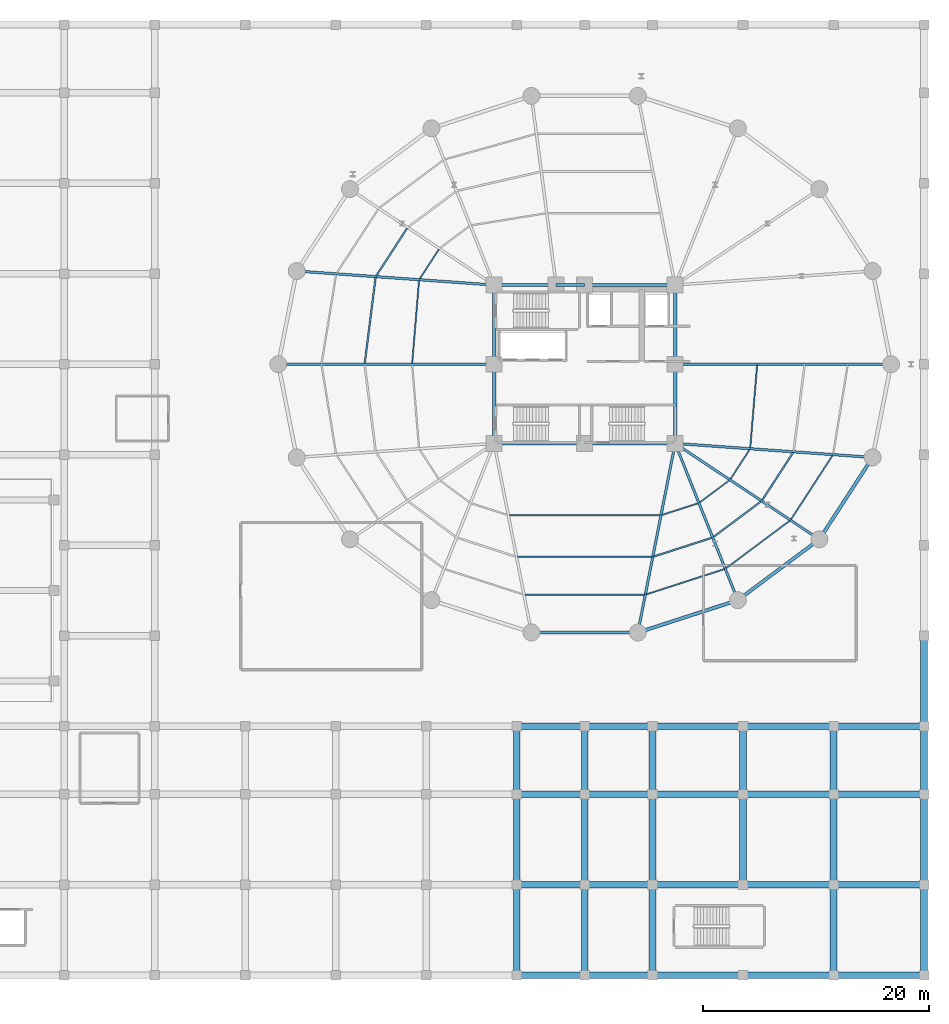
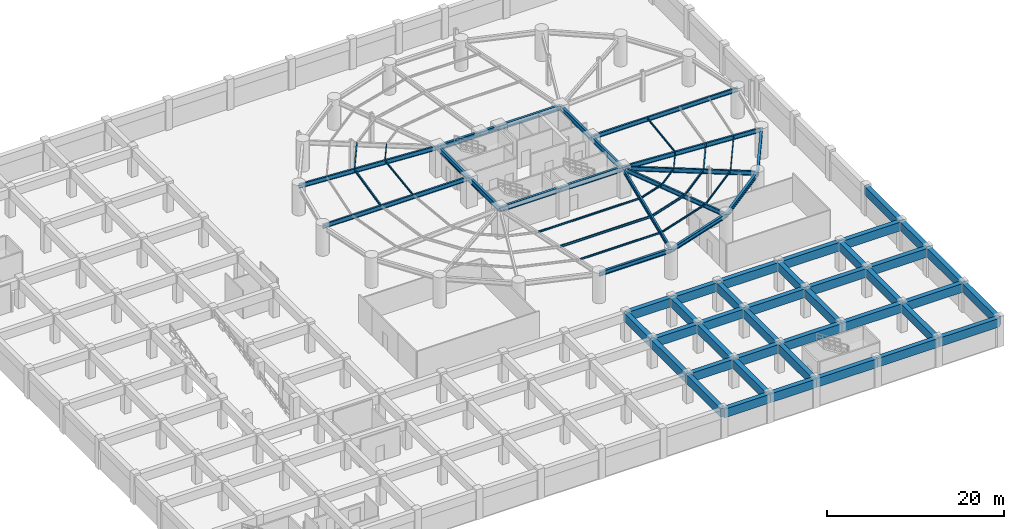
# One storey, part 6 of 20: 75 beams.
"""IFC4 building model written with IfcOpenShell, lengths in metres."""

from ifc_helpers import new_model, si_unit, direction, frame, origin, origin_2d, place, context, subcontext, project, spatial, rectangle, i_section, extrude, material, material_profile, profile_set, type_object, element, save


model = new_model("IFC4")

# Units and contexts
model_context = context("Model", 3, precision=1e-05, world=origin(), true_north=direction((0.0, 1.0)))
body_context = subcontext(model_context, "Body", "Model", "MODEL_VIEW")
ifc_project = project(units=[si_unit("LENGTHUNIT", "METRE"), si_unit("AREAUNIT", "SQUARE_METRE"), si_unit("VOLUMEUNIT", "CUBIC_METRE"), si_unit("PLANEANGLEUNIT", "RADIAN"), si_unit("MASSUNIT", "GRAM", prefix="KILO")], contexts=[model_context])

# Site, building, storey
site_placement = place(None, origin())
site = spatial("IfcSite", under=ifc_project, at=site_placement, CompositionType="ELEMENT")
building_placement = place(site_placement, origin())
building = spatial("IfcBuilding", under=site, at=building_placement, Name="Kelanora Arch Commons", CompositionType="ELEMENT")
storey_placement = place(building_placement, frame((0.0, 0.0, -4.199951171875)))
storey = spatial("IfcBuildingStorey", under=building, at=storey_placement, Name="B01", CompositionType="ELEMENT", Elevation=-4.199951171875)

# Beams
ifc_material_1 = material(Name="Concrete C45/55", Category="concrete")
ifc_material_profile_1 = material_profile(ifc_material_1, rectangle(XDim=0.60009765625, YDim=1.199951171875, at=origin_2d()), Name="RCB600x1200")
ifc_profile_set_1 = profile_set([ifc_material_profile_1], Name="Concrete C45/55")
beam_type_1 = type_object("IfcBeamType", Name="BM-BSMT-RC", PredefinedType="BEAM", material=ifc_profile_set_1)
beam_1_placement = place(storey_placement, frame((68.0, 4.0, 3.300048828125), z_axis=(1.0, 0.0, 0.0), x_axis=(0.0, 1.0, 0.0)))
element("IfcBeam", 1, at=beam_1_placement, inside=storey, type_object=beam_type_1, Name="Market/Basement Frame Beam 126 B01", PredefinedType="BEAM", context=body_context, shape_type="SweptSolid", body=[
    extrude(rectangle(XDim=0.60009765625, YDim=1.199951171875, at=origin_2d()), origin(), (0.0, 0.0, 1.0), 6.0),
])
beam_2_placement = place(storey_placement, frame((68.0, 4.0, 3.300048828125), z_axis=(0.0, 1.0, 0.0), x_axis=(-1.0, 0.0, 0.0)))
element("IfcBeam", 2, at=beam_2_placement, inside=storey, type_object=beam_type_1, Name="Market/Basement Frame Beam 127 B01", PredefinedType="BEAM", context=body_context, shape_type="SweptSolid", body=[
    extrude(rectangle(XDim=0.60009765625, YDim=1.199951171875, at=origin_2d()), origin(), (0.0, 0.0, 1.0), 8.0),
])
beam_3_placement = place(storey_placement, frame((68.0, 12.0, 3.300048828125), z_axis=(1.0, 0.0, 0.0), x_axis=(0.0, 1.0, 0.0)))
element("IfcBeam", 3, at=beam_3_placement, inside=storey, type_object=beam_type_1, Name="Market/Basement Frame Beam 128 B01", PredefinedType="BEAM", context=body_context, shape_type="SweptSolid", body=[
    extrude(rectangle(XDim=0.60009765625, YDim=1.199951171875, at=origin_2d()), origin(), (0.0, 0.0, 1.0), 6.0),
])
beam_4_placement = place(storey_placement, frame((68.0, 12.0, 3.300048828125), z_axis=(0.0, 1.0, 0.0), x_axis=(-1.0, 0.0, 0.0)))
element("IfcBeam", 4, at=beam_4_placement, inside=storey, type_object=beam_type_1, Name="Market/Basement Frame Beam 129 B01", PredefinedType="BEAM", context=body_context, shape_type="SweptSolid", body=[
    extrude(rectangle(XDim=0.60009765625, YDim=1.199951171875, at=origin_2d()), origin(), (0.0, 0.0, 1.0), 8.0),
])
for number, where, z_axis, x_axis, name in (
    (5, (68.0, 20.0, 3.300048828125), (1.0, 0.0, 0.0), (0.0, 1.0, 0.0), "Market/Basement Frame Beam 130 B01"),
    (6, (68.0, 20.0, 3.300048828125), (0.0, 1.0, 0.0), (-1.0, 0.0, 0.0), "Market/Basement Frame Beam 131 B01"),
    (7, (68.0, 26.0, 3.300048828125), (1.0, 0.0, 0.0), (0.0, 1.0, 0.0), "Market/Basement Frame Beam 132 B01"),
    (8, (74.0, 4.0, 3.300048828125), (1.0, 0.0, 0.0), (0.0, 1.0, 0.0), "Market/Basement Frame Beam 134 B01"),
):
    element("IfcBeam", number, at=place(storey_placement, frame(where, z_axis=z_axis, x_axis=x_axis)), inside=storey, type_object=beam_type_1, Name=name, PredefinedType="BEAM", context=body_context, shape_type="SweptSolid", body=[
        extrude(rectangle(XDim=0.60009765625, YDim=1.199951171875, at=origin_2d()), origin(), (0.0, 0.0, 1.0), 6.0),
    ])
beam_5_placement = place(storey_placement, frame((74.0, 4.0, 3.300048828125), z_axis=(0.0, 1.0, 0.0), x_axis=(-1.0, 0.0, 0.0)))
element("IfcBeam", 9, at=beam_5_placement, inside=storey, type_object=beam_type_1, Name="Market/Basement Frame Beam 135 B01", PredefinedType="BEAM", context=body_context, shape_type="SweptSolid", body=[
    extrude(rectangle(XDim=0.60009765625, YDim=1.199951171875, at=origin_2d()), origin(), (0.0, 0.0, 1.0), 8.0),
])
beam_6_placement = place(storey_placement, frame((74.0, 12.0, 3.300048828125), z_axis=(1.0, 0.0, 0.0), x_axis=(0.0, 1.0, 0.0)))
element("IfcBeam", 10, at=beam_6_placement, inside=storey, type_object=beam_type_1, Name="Market/Basement Frame Beam 136 B01", PredefinedType="BEAM", context=body_context, shape_type="SweptSolid", body=[
    extrude(rectangle(XDim=0.60009765625, YDim=1.199951171875, at=origin_2d()), origin(), (0.0, 0.0, 1.0), 6.0),
])
beam_7_placement = place(storey_placement, frame((74.0, 12.0, 3.300048828125), z_axis=(0.0, 1.0, 0.0), x_axis=(-1.0, 0.0, 0.0)))
element("IfcBeam", 11, at=beam_7_placement, inside=storey, type_object=beam_type_1, Name="Market/Basement Frame Beam 137 B01", PredefinedType="BEAM", context=body_context, shape_type="SweptSolid", body=[
    extrude(rectangle(XDim=0.60009765625, YDim=1.199951171875, at=origin_2d()), origin(), (0.0, 0.0, 1.0), 8.0),
])
for number, where, z_axis, x_axis, name in (
    (12, (74.0, 20.0, 3.300048828125), (1.0, 0.0, 0.0), (0.0, 1.0, 0.0), "Market/Basement Frame Beam 138 B01"),
    (13, (74.0, 20.0, 3.300048828125), (0.0, 1.0, 0.0), (-1.0, 0.0, 0.0), "Market/Basement Frame Beam 139 B01"),
    (14, (74.0, 26.0, 3.300048828125), (1.0, 0.0, 0.0), (0.0, 1.0, 0.0), "Market/Basement Frame Beam 140 B01"),
):
    element("IfcBeam", number, at=place(storey_placement, frame(where, z_axis=z_axis, x_axis=x_axis)), inside=storey, type_object=beam_type_1, Name=name, PredefinedType="BEAM", context=body_context, shape_type="SweptSolid", body=[
        extrude(rectangle(XDim=0.60009765625, YDim=1.199951171875, at=origin_2d()), origin(), (0.0, 0.0, 1.0), 6.0),
    ])
for number, where, z_axis, x_axis, name in (
    (15, (80.0, 4.0, 3.300048828125), (1.0, 0.0, 0.0), (0.0, 1.0, 0.0), "Market/Basement Frame Beam 142 B01"),
    (16, (80.0, 4.0, 3.300048828125), (0.0, 1.0, 0.0), (-1.0, 0.0, 0.0), "Market/Basement Frame Beam 143 B01"),
    (17, (80.0, 12.0, 3.300048828125), (1.0, 0.0, 0.0), (0.0, 1.0, 0.0), "Market/Basement Frame Beam 144 B01"),
    (18, (80.0, 12.0, 3.300048828125), (0.0, 1.0, 0.0), (-1.0, 0.0, 0.0), "Market/Basement Frame Beam 145 B01"),
    (19, (80.0, 20.0, 3.300048828125), (1.0, 0.0, 0.0), (0.0, 1.0, 0.0), "Market/Basement Frame Beam 146 B01"),
):
    element("IfcBeam", number, at=place(storey_placement, frame(where, z_axis=z_axis, x_axis=x_axis)), inside=storey, type_object=beam_type_1, Name=name, PredefinedType="BEAM", context=body_context, shape_type="SweptSolid", body=[
        extrude(rectangle(XDim=0.60009765625, YDim=1.199951171875, at=origin_2d()), origin(), (0.0, 0.0, 1.0), 8.0),
    ])
beam_8_placement = place(storey_placement, frame((80.0, 20.0, 3.300048828125), z_axis=(0.0, 1.0, 0.0), x_axis=(-1.0, 0.0, 0.0)))
element("IfcBeam", 20, at=beam_8_placement, inside=storey, type_object=beam_type_1, Name="Market/Basement Frame Beam 147 B01", PredefinedType="BEAM", context=body_context, shape_type="SweptSolid", body=[
    extrude(rectangle(XDim=0.60009765625, YDim=1.199951171875, at=origin_2d()), origin(), (0.0, 0.0, 1.0), 6.0),
])
for number, where, z_axis, x_axis, name in (
    (21, (80.0, 26.0, 3.300048828125), (1.0, 0.0, 0.0), (0.0, 1.0, 0.0), "Market/Basement Frame Beam 148 B01"),
    (22, (88.0, 4.0, 3.300048828125), (1.0, 0.0, 0.0), (0.0, 1.0, 0.0), "Market/Basement Frame Beam 150 B01"),
    (23, (88.0, 12.0, 3.300048828125), (1.0, 0.0, 0.0), (0.0, 1.0, 0.0), "Market/Basement Frame Beam 151 B01"),
    (24, (88.0, 12.0, 3.300048828125), (0.0, 1.0, 0.0), (-1.0, 0.0, 0.0), "Market/Basement Frame Beam 152 B01"),
    (25, (88.0, 20.0, 3.300048828125), (1.0, 0.0, 0.0), (0.0, 1.0, 0.0), "Market/Basement Frame Beam 153 B01"),
):
    element("IfcBeam", number, at=place(storey_placement, frame(where, z_axis=z_axis, x_axis=x_axis)), inside=storey, type_object=beam_type_1, Name=name, PredefinedType="BEAM", context=body_context, shape_type="SweptSolid", body=[
        extrude(rectangle(XDim=0.60009765625, YDim=1.199951171875, at=origin_2d()), origin(), (0.0, 0.0, 1.0), 8.0),
    ])
beam_9_placement = place(storey_placement, frame((88.0, 20.0, 3.300048828125), z_axis=(0.0, 1.0, 0.0), x_axis=(-1.0, 0.0, 0.0)))
element("IfcBeam", 26, at=beam_9_placement, inside=storey, type_object=beam_type_1, Name="Market/Basement Frame Beam 154 B01", PredefinedType="BEAM", context=body_context, shape_type="SweptSolid", body=[
    extrude(rectangle(XDim=0.60009765625, YDim=1.199951171875, at=origin_2d()), origin(), (0.0, 0.0, 1.0), 6.0),
])
for number, where, z_axis, x_axis, name in (
    (27, (88.0, 26.0, 3.300048828125), (1.0, 0.0, 0.0), (0.0, 1.0, 0.0), "Market/Basement Frame Beam 155 B01"),
    (28, (96.0, 4.0, 3.300048828125), (1.0, 0.0, 0.0), (0.0, 1.0, 0.0), "Market/Basement Frame Beam 157 B01"),
    (29, (96.0, 4.0, 3.300048828125), (0.0, 1.0, 0.0), (-1.0, 0.0, 0.0), "Market/Basement Frame Beam 158 B01"),
    (30, (96.0, 12.0, 3.300048828125), (1.0, 0.0, 0.0), (0.0, 1.0, 0.0), "Market/Basement Frame Beam 159 B01"),
    (31, (96.0, 12.0, 3.300048828125), (0.0, 1.0, 0.0), (-1.0, 0.0, 0.0), "Market/Basement Frame Beam 160 B01"),
    (32, (96.0, 20.0, 3.300048828125), (1.0, 0.0, 0.0), (0.0, 1.0, 0.0), "Market/Basement Frame Beam 161 B01"),
):
    element("IfcBeam", number, at=place(storey_placement, frame(where, z_axis=z_axis, x_axis=x_axis)), inside=storey, type_object=beam_type_1, Name=name, PredefinedType="BEAM", context=body_context, shape_type="SweptSolid", body=[
        extrude(rectangle(XDim=0.60009765625, YDim=1.199951171875, at=origin_2d()), origin(), (0.0, 0.0, 1.0), 8.0),
    ])
beam_10_placement = place(storey_placement, frame((96.0, 20.0, 3.300048828125), z_axis=(0.0, 1.0, 0.0), x_axis=(-1.0, 0.0, 0.0)))
element("IfcBeam", 33, at=beam_10_placement, inside=storey, type_object=beam_type_1, Name="Market/Basement Frame Beam 162 B01", PredefinedType="BEAM", context=body_context, shape_type="SweptSolid", body=[
    extrude(rectangle(XDim=0.60009765625, YDim=1.199951171875, at=origin_2d()), origin(), (0.0, 0.0, 1.0), 6.0),
])
for number, where, z_axis, x_axis, name in (
    (34, (96.0, 26.0, 3.300048828125), (1.0, 0.0, 0.0), (0.0, 1.0, 0.0), "Market/Basement Frame Beam 163 B01"),
    (35, (104.0, 4.0, 3.300048828125), (0.0, 1.0, 0.0), (-1.0, 0.0, 0.0), "Market/Basement Frame Beam 165 B01"),
    (36, (104.0, 12.0, 3.300048828125), (0.0, 1.0, 0.0), (-1.0, 0.0, 0.0), "Market/Basement Frame Beam 166 B01"),
):
    element("IfcBeam", number, at=place(storey_placement, frame(where, z_axis=z_axis, x_axis=x_axis)), inside=storey, type_object=beam_type_1, Name=name, PredefinedType="BEAM", context=body_context, shape_type="SweptSolid", body=[
        extrude(rectangle(XDim=0.60009765625, YDim=1.199951171875, at=origin_2d()), origin(), (0.0, 0.0, 1.0), 8.0),
    ])
beam_11_placement = place(storey_placement, frame((104.0, 20.0, 3.300048828125), z_axis=(0.0, 1.0, 0.0), x_axis=(-1.0, 0.0, 0.0)))
element("IfcBeam", 37, at=beam_11_placement, inside=storey, type_object=beam_type_1, Name="Market/Basement Frame Beam 167 B01", PredefinedType="BEAM", context=body_context, shape_type="SweptSolid", body=[
    extrude(rectangle(XDim=0.60009765625, YDim=1.199951171875, at=origin_2d()), origin(), (0.0, 0.0, 1.0), 6.0),
])
beam_12_placement = place(storey_placement, frame((104.0, 26.0, 3.300048828125), z_axis=(0.0, 1.0, 0.0), x_axis=(-1.0, 0.0, 0.0)))
element("IfcBeam", 38, at=beam_12_placement, inside=storey, type_object=beam_type_1, Name="Market/Basement Frame Beam 168 B01", PredefinedType="BEAM", context=body_context, shape_type="SweptSolid", body=[
    extrude(rectangle(XDim=0.60009765625, YDim=1.199951171875, at=origin_2d()), origin(), (0.0, 0.0, 1.0), 8.0),
])
ifc_material_2 = material(Name="Steel S355", Category="steel")
ifc_material_profile_2 = material_profile(ifc_material_2, i_section(OverallWidth=0.300048828125, OverallDepth=0.699951171875, WebThickness=0.01708984375, FlangeThickness=0.031982421875, FilletRadius=0.027099609375, at=origin_2d()), Name="HEB700")
ifc_profile_set_2 = profile_set([ifc_material_profile_2], Name="Steel S355")
beam_type_2 = type_object("IfcBeamType", Name="BM-CORE-HDR", PredefinedType="BEAM", material=ifc_profile_set_2)
for number, where, z_axis, x_axis, name in (
    (39, (66.0, 51.0, 3.550048828125), (1.0, 0.0, 0.0), (0.0, 1.0, 0.0), "Core Header Beam 01 B01"),
    (40, (74.0, 51.0, 3.550048828125), (1.0, 0.0, 0.0), (0.0, 1.0, 0.0), "Core Header Beam 02 B01"),
):
    element("IfcBeam", number, at=place(storey_placement, frame(where, z_axis=z_axis, x_axis=x_axis)), inside=storey, type_object=beam_type_2, Name=name, PredefinedType="BEAM", context=body_context, shape_type="SweptSolid", body=[
        extrude(i_section(OverallWidth=0.300048828125, OverallDepth=0.699951171875, WebThickness=0.01708984375, FlangeThickness=0.031982421875, FilletRadius=0.027099609375, at=origin_2d()), origin(), (0.0, 0.0, 1.0), 8.0),
    ])
for number, where, z_axis, x_axis, name in (
    (41, (82.0, 51.0, 3.550048828125), (0.0, 1.0, 0.0), (-1.0, 0.0, 0.0), "Core Header Beam 03 B01"),
    (42, (82.0, 58.0, 3.550048828125), (0.0, 1.0, 0.0), (-1.0, 0.0, 0.0), "Core Header Beam 04 B01"),
):
    element("IfcBeam", number, at=place(storey_placement, frame(where, z_axis=z_axis, x_axis=x_axis)), inside=storey, type_object=beam_type_2, Name=name, PredefinedType="BEAM", context=body_context, shape_type="SweptSolid", body=[
        extrude(i_section(OverallWidth=0.300048828125, OverallDepth=0.699951171875, WebThickness=0.01708984375, FlangeThickness=0.031982421875, FilletRadius=0.027099609375, at=origin_2d()), origin(), (0.0, 0.0, 1.0), 7.0),
    ])
beam_13_placement = place(storey_placement, frame((82.0, 65.0, 3.550048828125), z_axis=(-1.0, 0.0, 0.0), x_axis=(0.0, -1.0, 0.0)))
element("IfcBeam", 43, at=beam_13_placement, inside=storey, type_object=beam_type_2, Name="Core Header Beam 05 B01", PredefinedType="BEAM", context=body_context, shape_type="SweptSolid", body=[
    extrude(i_section(OverallWidth=0.300048828125, OverallDepth=0.699951171875, WebThickness=0.01708984375, FlangeThickness=0.031982421875, FilletRadius=0.027099609375, at=origin_2d()), origin(), (0.0, 0.0, 1.0), 8.0),
])
beam_14_placement = place(storey_placement, frame((74.0, 65.0, 3.550048828125), z_axis=(-1.0, 0.0, 0.0), x_axis=(0.0, -1.0, 0.0)))
element("IfcBeam", 44, at=beam_14_placement, inside=storey, type_object=beam_type_2, Name="Core Header Beam 06 B01", PredefinedType="BEAM", context=body_context, shape_type="SweptSolid", body=[
    extrude(i_section(OverallWidth=0.300048828125, OverallDepth=0.699951171875, WebThickness=0.01708984375, FlangeThickness=0.031982421875, FilletRadius=0.027099609375, at=origin_2d()), origin(), (0.0, 0.0, 1.0), 2.52001953125),
])
beam_15_placement = place(storey_placement, frame((71.47998046875, 65.0, 3.550048828125), z_axis=(-1.0, 0.0, 0.0), x_axis=(0.0, -1.0, 0.0)))
element("IfcBeam", 45, at=beam_15_placement, inside=storey, type_object=beam_type_2, Name="Core Header Beam 07 B01", PredefinedType="BEAM", context=body_context, shape_type="SweptSolid", body=[
    extrude(i_section(OverallWidth=0.300048828125, OverallDepth=0.699951171875, WebThickness=0.01708984375, FlangeThickness=0.031982421875, FilletRadius=0.027099609375, at=origin_2d()), origin(), (0.0, 0.0, 1.0), 5.47998046875),
])
for number, where, z_axis, x_axis, name in (
    (46, (66.0, 65.0, 3.550048828125), (0.0, -1.0, 0.0), (1.0, 0.0, 0.0), "Core Header Beam 08 B01"),
    (47, (66.0, 58.0, 3.550048828125), (0.0, -1.0, 0.0), (1.0, 0.0, 0.0), "Core Header Beam 09 B01"),
):
    element("IfcBeam", number, at=place(storey_placement, frame(where, z_axis=z_axis, x_axis=x_axis)), inside=storey, type_object=beam_type_2, Name=name, PredefinedType="BEAM", context=body_context, shape_type="SweptSolid", body=[
        extrude(i_section(OverallWidth=0.300048828125, OverallDepth=0.699951171875, WebThickness=0.01708984375, FlangeThickness=0.031982421875, FilletRadius=0.027099609375, at=origin_2d()), origin(), (0.0, 0.0, 1.0), 7.0),
    ])
ifc_material_profile_3 = material_profile(ifc_material_2, i_section(OverallWidth=0.14990234375, OverallDepth=0.300048828125, WebThickness=0.007080078125, FlangeThickness=0.0107421875, FilletRadius=0.014892578125, at=origin_2d()), Name="IPE300")
ifc_profile_set_3 = profile_set([ifc_material_profile_3], Name="Steel S355")
beam_type_3 = type_object("IfcBeamType", Name="BM-JST-01", PredefinedType="JOIST", material=ifc_profile_set_3)
beam_16_placement = place(storey_placement, frame((58.306884765625, 70.015625, 3.75), z_axis=(-0.544551588245, -0.838727350061, 0.0), x_axis=(0.838727350061, -0.544551588245, 0.0)))
element("IfcBeam", 48, at=beam_16_placement, inside=storey, type_object=beam_type_3, Name="Secondary Chord Joist BJB-14 B01", PredefinedType="JOIST", context=body_context, shape_type="SweptSolid", body=[
    extrude(i_section(OverallWidth=0.14990234375, OverallDepth=0.300048828125, WebThickness=0.007080078125, FlangeThickness=0.0107421875, FilletRadius=0.014892578125, at=origin_2d()), origin(), (0.0, 0.0, 1.0), 5.010986328125),
])
beam_17_placement = place(storey_placement, frame((55.521240234375, 65.6572265625, 3.75), z_axis=(-0.125565841651, -0.992085288375, 0.0), x_axis=(0.992085288375, -0.125565841651, 0.0)))
element("IfcBeam", 49, at=beam_17_placement, inside=storey, type_object=beam_type_3, Name="Secondary Chord Joist BJB-16 B01", PredefinedType="JOIST", context=body_context, shape_type="SweptSolid", body=[
    extrude(i_section(OverallWidth=0.14990234375, OverallDepth=0.300048828125, WebThickness=0.007080078125, FlangeThickness=0.0107421875, FilletRadius=0.014892578125, at=origin_2d()), origin(), (0.0, 0.0, 1.0), 7.63330078125),
])
beam_18_placement = place(storey_placement, frame((68.063720703125, 40.971435546875, 3.75), z_axis=(1.0, 0.0, 0.0), x_axis=(0.0, 1.0, 0.0)))
element("IfcBeam", 50, at=beam_18_placement, inside=storey, type_object=beam_type_3, Name="Secondary Chord Joist BJB-26 B01", PredefinedType="JOIST", context=body_context, shape_type="SweptSolid", body=[
    extrude(i_section(OverallWidth=0.14990234375, OverallDepth=0.300048828125, WebThickness=0.007080078125, FlangeThickness=0.0107421875, FilletRadius=0.014892578125, at=origin_2d()), origin(), (0.0, 0.0, 1.0), 11.87255859375),
])
beam_19_placement = place(storey_placement, frame((80.102294921875, 40.997802734375, 3.75), z_axis=(0.951412209627, 0.307920131482, 0.0), x_axis=(-0.307920131482, 0.951412209627, 0.0)))
element("IfcBeam", 51, at=beam_19_placement, inside=storey, type_object=beam_type_3, Name="Secondary Chord Joist BJB-28 B01", PredefinedType="JOIST", context=body_context, shape_type="SweptSolid", body=[
    extrude(i_section(OverallWidth=0.14990234375, OverallDepth=0.300048828125, WebThickness=0.007080078125, FlangeThickness=0.0107421875, FilletRadius=0.014892578125, at=origin_2d()), origin(), (0.0, 0.0, 1.0), 5.4033203125),
])
beam_20_placement = place(storey_placement, frame((85.39208984375, 42.738525390625, 3.75), z_axis=(0.801478251559, 0.598023922831, 0.0), x_axis=(-0.598023922831, 0.801478251559, 0.0)))
element("IfcBeam", 52, at=beam_20_placement, inside=storey, type_object=beam_type_3, Name="Secondary Chord Joist BJB-30 B01", PredefinedType="JOIST", context=body_context, shape_type="SweptSolid", body=[
    extrude(i_section(OverallWidth=0.14990234375, OverallDepth=0.300048828125, WebThickness=0.007080078125, FlangeThickness=0.0107421875, FilletRadius=0.014892578125, at=origin_2d()), origin(), (0.0, 0.0, 1.0), 5.223388671875),
])
beam_21_placement = place(storey_placement, frame((89.693115234375, 45.984375, 3.75), z_axis=(0.544551588245, 0.838727350061, 0.0), x_axis=(-0.838727350061, 0.544551588245, 0.0)))
element("IfcBeam", 53, at=beam_21_placement, inside=storey, type_object=beam_type_3, Name="Secondary Chord Joist BJB-32 B01", PredefinedType="JOIST", context=body_context, shape_type="SweptSolid", body=[
    extrude(i_section(OverallWidth=0.14990234375, OverallDepth=0.300048828125, WebThickness=0.007080078125, FlangeThickness=0.0107421875, FilletRadius=0.014892578125, at=origin_2d()), origin(), (0.0, 0.0, 1.0), 5.010986328125),
])
ifc_material_profile_4 = material_profile(ifc_material_2, i_section(OverallWidth=0.1201171875, OverallDepth=0.239990234375, WebThickness=0.006103515625, FlangeThickness=0.009765625, FilletRadius=0.014892578125, at=origin_2d()), Name="IPE240")
ifc_profile_set_4 = profile_set([ifc_material_profile_4], Name="Steel S355")
beam_type_4 = type_object("IfcBeamType", Name="BM-JST-02", PredefinedType="JOIST", material=ifc_profile_set_4)
beam_22_placement = place(storey_placement, frame((61.11083984375, 68.150390625, 3.780029296875), z_axis=(-0.544591105858, -0.838701691557, 0.0), x_axis=(0.838701691557, -0.544591105858, 0.0)))
element("IfcBeam", 54, at=beam_22_placement, inside=storey, type_object=beam_type_4, Name="Secondary Chord Joist BJA-14 B01", PredefinedType="JOIST", context=body_context, shape_type="SweptSolid", body=[
    extrude(i_section(OverallWidth=0.1201171875, OverallDepth=0.239990234375, WebThickness=0.006103515625, FlangeThickness=0.009765625, FilletRadius=0.014892578125, at=origin_2d()), origin(), (0.0, 0.0, 1.0), 3.111328125),
])
beam_23_placement = place(storey_placement, frame((59.363037109375, 65.385009765625, 3.780029296875), z_axis=(-0.082786209886, -0.996567330115, 0.0), x_axis=(0.996567330115, -0.082786209886, 0.0)))
element("IfcBeam", 55, at=beam_23_placement, inside=storey, type_object=beam_type_4, Name="Secondary Chord Joist BJA-16 B01", PredefinedType="JOIST", context=body_context, shape_type="SweptSolid", body=[
    extrude(i_section(OverallWidth=0.1201171875, OverallDepth=0.239990234375, WebThickness=0.006103515625, FlangeThickness=0.009765625, FilletRadius=0.014892578125, at=origin_2d()), origin(), (0.0, 0.0, 1.0), 7.325439453125),
])
beam_24_placement = place(storey_placement, frame((67.338134765625, 44.648681640625, 3.780029296875), z_axis=(1.0, 0.0, 0.0), x_axis=(0.0, 1.0, 0.0)))
element("IfcBeam", 56, at=beam_24_placement, inside=storey, type_object=beam_type_4, Name="Secondary Chord Joist BJA-26 B01", PredefinedType="JOIST", context=body_context, shape_type="SweptSolid", body=[
    extrude(i_section(OverallWidth=0.1201171875, OverallDepth=0.239990234375, WebThickness=0.006103515625, FlangeThickness=0.009765625, FilletRadius=0.014892578125, at=origin_2d()), origin(), (0.0, 0.0, 1.0), 13.32373046875),
])
beam_25_placement = place(storey_placement, frame((68.72314453125, 37.628662109375, 3.780029296875), z_axis=(1.0, 0.0, 0.0), x_axis=(0.0, 1.0, 0.0)))
element("IfcBeam", 57, at=beam_25_placement, inside=storey, type_object=beam_type_4, Name="Secondary Chord Joist BJC-26 B01", PredefinedType="JOIST", context=body_context, shape_type="SweptSolid", body=[
    extrude(i_section(OverallWidth=0.1201171875, OverallDepth=0.239990234375, WebThickness=0.006103515625, FlangeThickness=0.009765625, FilletRadius=0.014892578125, at=origin_2d()), origin(), (0.0, 0.0, 1.0), 10.5537109375),
])
beam_26_placement = place(storey_placement, frame((80.827880859375, 44.6748046875, 3.780029296875), z_axis=(0.951422608074, 0.30788800049, 0.0), x_axis=(-0.30788800049, 0.951422608074, 0.0)))
element("IfcBeam", 58, at=beam_26_placement, inside=storey, type_object=beam_type_4, Name="Secondary Chord Joist BJA-28 B01", PredefinedType="JOIST", context=body_context, shape_type="SweptSolid", body=[
    extrude(i_section(OverallWidth=0.1201171875, OverallDepth=0.239990234375, WebThickness=0.006103515625, FlangeThickness=0.009765625, FilletRadius=0.014892578125, at=origin_2d()), origin(), (0.0, 0.0, 1.0), 3.359619140625),
])
beam_27_placement = place(storey_placement, frame((79.44287109375, 37.65478515625, 3.780029296875), z_axis=(0.951410915705, 0.307924129418, 0.0), x_axis=(-0.307924129418, 0.951410915705, 0.0)))
element("IfcBeam", 59, at=beam_27_placement, inside=storey, type_object=beam_type_4, Name="Secondary Chord Joist BJC-28 B01", PredefinedType="JOIST", context=body_context, shape_type="SweptSolid", body=[
    extrude(i_section(OverallWidth=0.1201171875, OverallDepth=0.239990234375, WebThickness=0.006103515625, FlangeThickness=0.009765625, FilletRadius=0.014892578125, at=origin_2d()), origin(), (0.0, 0.0, 1.0), 7.260986328125),
])
beam_28_placement = place(storey_placement, frame((84.17333984375, 45.786376953125, 3.780029296875), z_axis=(0.801513822608, 0.59797624716, 0.0), x_axis=(-0.59797624716, 0.801513822608, 0.0)))
element("IfcBeam", 60, at=beam_28_placement, inside=storey, type_object=beam_type_4, Name="Secondary Chord Joist BJA-30 B01", PredefinedType="JOIST", context=body_context, shape_type="SweptSolid", body=[
    extrude(i_section(OverallWidth=0.1201171875, OverallDepth=0.239990234375, WebThickness=0.006103515625, FlangeThickness=0.009765625, FilletRadius=0.014892578125, at=origin_2d()), origin(), (0.0, 0.0, 1.0), 3.245849609375),
])
beam_29_placement = place(storey_placement, frame((86.5, 39.9677734375, 3.780029296875), z_axis=(0.80149131963, 0.598006408459, 0.0), x_axis=(-0.598006408459, 0.80149131963, 0.0)))
element("IfcBeam", 61, at=beam_29_placement, inside=storey, type_object=beam_type_4, Name="Secondary Chord Joist BJC-30 B01", PredefinedType="JOIST", context=body_context, shape_type="SweptSolid", body=[
    extrude(i_section(OverallWidth=0.1201171875, OverallDepth=0.239990234375, WebThickness=0.006103515625, FlangeThickness=0.009765625, FilletRadius=0.014892578125, at=origin_2d()), origin(), (0.0, 0.0, 1.0), 7.021240234375),
])
beam_30_placement = place(storey_placement, frame((86.88916015625, 47.849609375, 3.780029296875), z_axis=(0.544591105858, 0.838701691557, 0.0), x_axis=(-0.838701691557, 0.544591105858, 0.0)))
element("IfcBeam", 62, at=beam_30_placement, inside=storey, type_object=beam_type_4, Name="Secondary Chord Joist BJA-32 B01", PredefinedType="JOIST", context=body_context, shape_type="SweptSolid", body=[
    extrude(i_section(OverallWidth=0.1201171875, OverallDepth=0.239990234375, WebThickness=0.006103515625, FlangeThickness=0.009765625, FilletRadius=0.014892578125, at=origin_2d()), origin(), (0.0, 0.0, 1.0), 3.111328125),
])
beam_31_placement = place(storey_placement, frame((92.241943359375, 44.288818359375, 3.780029296875), z_axis=(0.544550165372, 0.838728273873, 0.0), x_axis=(-0.838728273873, 0.544550165372, 0.0)))
element("IfcBeam", 63, at=beam_31_placement, inside=storey, type_object=beam_type_4, Name="Secondary Chord Joist BJC-32 B01", PredefinedType="JOIST", context=body_context, shape_type="SweptSolid", body=[
    extrude(i_section(OverallWidth=0.1201171875, OverallDepth=0.239990234375, WebThickness=0.006103515625, FlangeThickness=0.009765625, FilletRadius=0.014892578125, at=origin_2d()), origin(), (0.0, 0.0, 1.0), 6.738037109375),
])
beam_32_placement = place(storey_placement, frame((88.636962890625, 50.614990234375, 3.780029296875), z_axis=(0.082786209886, 0.996567330115, 0.0), x_axis=(-0.996567330115, 0.082786209886, 0.0)))
element("IfcBeam", 64, at=beam_32_placement, inside=storey, type_object=beam_type_4, Name="Secondary Chord Joist BJA-34 B01", PredefinedType="JOIST", context=body_context, shape_type="SweptSolid", body=[
    extrude(i_section(OverallWidth=0.1201171875, OverallDepth=0.239990234375, WebThickness=0.006103515625, FlangeThickness=0.009765625, FilletRadius=0.014892578125, at=origin_2d()), origin(), (0.0, 0.0, 1.0), 7.325439453125),
])
ifc_material_profile_5 = material_profile(ifc_material_2, i_section(OverallWidth=0.219970703125, OverallDepth=0.60009765625, WebThickness=0.011962890625, FlangeThickness=0.01904296875, FilletRadius=0.02392578125, at=origin_2d()), Name="IPE600")
ifc_profile_set_5 = profile_set([ifc_material_profile_5], Name="Steel S355")
beam_type_5 = type_object("IfcBeamType", Name="BM-RAD-Z1", PredefinedType="BEAM", material=ifc_profile_set_5)
beam_33_placement = place(storey_placement, frame((82.0, 58.0, 3.599853515625), z_axis=(1.0, 0.0, 0.0), x_axis=(0.0, 1.0, 0.0)))
element("IfcBeam", 65, at=beam_33_placement, inside=storey, type_object=beam_type_5, Name="Radial Floor Girder BR-00 B01", PredefinedType="BEAM", context=body_context, shape_type="SweptSolid", body=[
    extrude(i_section(OverallWidth=0.219970703125, OverallDepth=0.60009765625, WebThickness=0.011962890625, FlangeThickness=0.01904296875, FilletRadius=0.02392578125, at=origin_2d()), origin(), (0.0, 0.0, 1.0), 19.080078125),
])
beam_34_placement = place(storey_placement, frame((66.0, 65.0, 3.599853515625), z_axis=(-0.997500683472, 0.070656821848, 0.0), x_axis=(-0.070656821848, -0.997500683472, 0.0)))
element("IfcBeam", 66, at=beam_34_placement, inside=storey, type_object=beam_type_5, Name="Radial Floor Girder BR-16 B01", PredefinedType="BEAM", context=body_context, shape_type="SweptSolid", body=[
    extrude(i_section(OverallWidth=0.219970703125, OverallDepth=0.60009765625, WebThickness=0.011962890625, FlangeThickness=0.01904296875, FilletRadius=0.02392578125, at=origin_2d()), origin(), (0.0, 0.0, 1.0), 17.49072265625),
])
beam_35_placement = place(storey_placement, frame((66.0, 58.0, 3.599853515625), z_axis=(-1.0, 0.0, 0.0), x_axis=(0.0, -1.0, 0.0)))
element("IfcBeam", 67, at=beam_35_placement, inside=storey, type_object=beam_type_5, Name="Radial Floor Girder BR-18 B01", PredefinedType="BEAM", context=body_context, shape_type="SweptSolid", body=[
    extrude(i_section(OverallWidth=0.219970703125, OverallDepth=0.60009765625, WebThickness=0.011962890625, FlangeThickness=0.01904296875, FilletRadius=0.02392578125, at=origin_2d()), origin(), (0.0, 0.0, 1.0), 19.080078125),
])
beam_36_placement = place(storey_placement, frame((82.0, 51.0, 3.599853515625), z_axis=(-0.19356352044, -0.981087745084, 0.0), x_axis=(0.981087745084, -0.19356352044, 0.0)))
element("IfcBeam", 68, at=beam_36_placement, inside=storey, type_object=beam_type_5, Name="Radial Floor Girder BR-28 B01", PredefinedType="BEAM", context=body_context, shape_type="SweptSolid", body=[
    extrude(i_section(OverallWidth=0.219970703125, OverallDepth=0.60009765625, WebThickness=0.011962890625, FlangeThickness=0.01904296875, FilletRadius=0.02392578125, at=origin_2d()), origin(), (0.0, 0.0, 1.0), 17.036376953125),
])
beam_37_placement = place(storey_placement, frame((82.0, 51.0, 3.599853515625), z_axis=(0.371300398117, -0.928512797089, 0.0), x_axis=(0.928512797089, 0.371300398117, 0.0)))
element("IfcBeam", 69, at=beam_37_placement, inside=storey, type_object=beam_type_5, Name="Radial Floor Girder BR-30 B01", PredefinedType="BEAM", context=body_context, shape_type="SweptSolid", body=[
    extrude(i_section(OverallWidth=0.219970703125, OverallDepth=0.60009765625, WebThickness=0.011962890625, FlangeThickness=0.01904296875, FilletRadius=0.02392578125, at=origin_2d()), origin(), (0.0, 0.0, 1.0), 14.920654296875),
])
beam_38_placement = place(storey_placement, frame((82.0, 51.0, 3.599853515625), z_axis=(0.832592187754, -0.553886494591, 0.0), x_axis=(0.553886494591, 0.832592187754, 0.0)))
element("IfcBeam", 70, at=beam_38_placement, inside=storey, type_object=beam_type_5, Name="Radial Floor Girder BR-32 B01", PredefinedType="BEAM", context=body_context, shape_type="SweptSolid", body=[
    extrude(i_section(OverallWidth=0.219970703125, OverallDepth=0.60009765625, WebThickness=0.011962890625, FlangeThickness=0.01904296875, FilletRadius=0.02392578125, at=origin_2d()), origin(), (0.0, 0.0, 1.0), 15.306884765625),
])
beam_39_placement = place(storey_placement, frame((82.0, 51.0, 3.599853515625), z_axis=(0.997500683472, -0.070656821848, 0.0), x_axis=(0.070656821848, 0.997500683472, 0.0)))
element("IfcBeam", 71, at=beam_39_placement, inside=storey, type_object=beam_type_5, Name="Radial Floor Girder BR-34 B01", PredefinedType="BEAM", context=body_context, shape_type="SweptSolid", body=[
    extrude(i_section(OverallWidth=0.219970703125, OverallDepth=0.60009765625, WebThickness=0.011962890625, FlangeThickness=0.01904296875, FilletRadius=0.02392578125, at=origin_2d()), origin(), (0.0, 0.0, 1.0), 17.49072265625),
])
ifc_material_profile_6 = material_profile(ifc_material_2, i_section(OverallWidth=0.300048828125, OverallDepth=0.60009765625, WebThickness=0.015380859375, FlangeThickness=0.030029296875, FilletRadius=0.027099609375, at=origin_2d()), Name="HEB600")
ifc_profile_set_6 = profile_set([ifc_material_profile_6], Name="Steel S355")
beam_type_6 = type_object("IfcBeamType", Name="BM-SPN-Z1", PredefinedType="SPANDREL", material=ifc_profile_set_6)
beam_40_placement = place(storey_placement, frame((69.297607421875, 34.285888671875, 3.599853515625), z_axis=(1.0, 0.0, 0.0), x_axis=(0.0, 1.0, 0.0)))
element("IfcBeam", 72, at=beam_40_placement, inside=storey, type_object=beam_type_6, Name="Perimeter Spandrel Beam BS-26 B01", PredefinedType="SPANDREL", context=body_context, shape_type="SweptSolid", body=[
    extrude(i_section(OverallWidth=0.300048828125, OverallDepth=0.60009765625, WebThickness=0.015380859375, FlangeThickness=0.030029296875, FilletRadius=0.027099609375, at=origin_2d()), origin(), (0.0, 0.0, 1.0), 9.40478515625),
])
beam_41_placement = place(storey_placement, frame((78.702392578125, 34.285888671875, 3.599853515625), z_axis=(0.951417120402, 0.307904957748, 0.0), x_axis=(-0.307904957748, 0.951417120402, 0.0)))
element("IfcBeam", 73, at=beam_41_placement, inside=storey, type_object=beam_type_6, Name="Perimeter Spandrel Beam BS-28 B01", PredefinedType="SPANDREL", context=body_context, shape_type="SweptSolid", body=[
    extrude(i_section(OverallWidth=0.300048828125, OverallDepth=0.60009765625, WebThickness=0.015380859375, FlangeThickness=0.030029296875, FilletRadius=0.027099609375, at=origin_2d()), origin(), (0.0, 0.0, 1.0), 9.288818359375),
])
beam_42_placement = place(storey_placement, frame((87.5400390625, 37.14599609375, 3.599853515625), z_axis=(0.801467504127, 0.598038326388, 0.0), x_axis=(-0.598038326388, 0.801467504127, 0.0)))
element("IfcBeam", 74, at=beam_42_placement, inside=storey, type_object=beam_type_6, Name="Perimeter Spandrel Beam BS-30 B01", PredefinedType="SPANDREL", context=body_context, shape_type="SweptSolid", body=[
    extrude(i_section(OverallWidth=0.300048828125, OverallDepth=0.60009765625, WebThickness=0.015380859375, FlangeThickness=0.030029296875, FilletRadius=0.027099609375, at=origin_2d()), origin(), (0.0, 0.0, 1.0), 8.989013671875),
])
beam_43_placement = place(storey_placement, frame((94.744384765625, 42.521728515625, 3.599853515625), z_axis=(0.544585813928, 0.838705127722, 0.0), x_axis=(-0.838705127722, 0.544585813928, 0.0)))
element("IfcBeam", 75, at=beam_43_placement, inside=storey, type_object=beam_type_6, Name="Perimeter Spandrel Beam BS-32 B01", PredefinedType="SPANDREL", context=body_context, shape_type="SweptSolid", body=[
    extrude(i_section(OverallWidth=0.300048828125, OverallDepth=0.60009765625, WebThickness=0.015380859375, FlangeThickness=0.030029296875, FilletRadius=0.027099609375, at=origin_2d()), origin(), (0.0, 0.0, 1.0), 8.63525390625),
])

save(model, "model.ifc")
